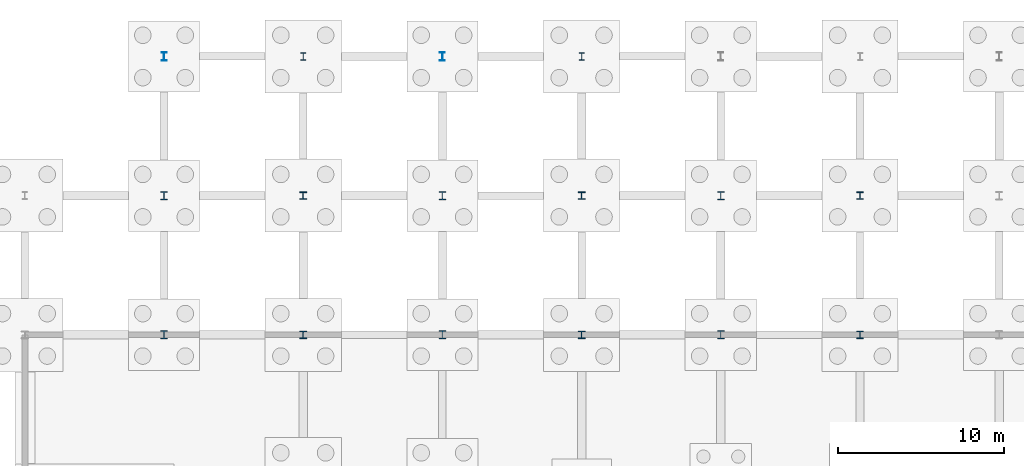
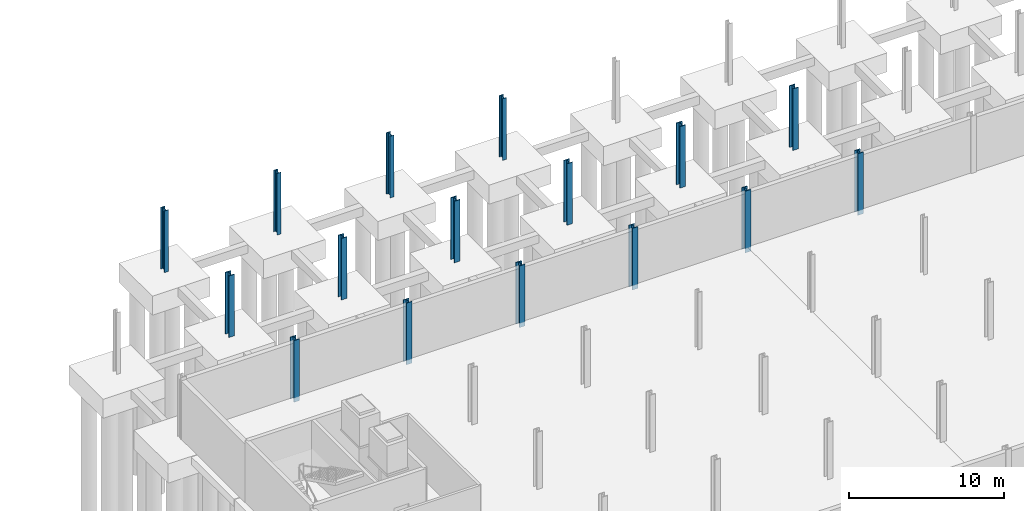
# One storey, part 24 of 51: 16 columns.
"""IFC4 building model written with IfcOpenShell, lengths in metres."""

import ifcopenshell
import ifcopenshell.guid

model = None  # the IFC model being written
_history = None  # IfcOwnerHistory: only IFC2X3 demands one
_inside = {}  # id of a spatial element -> (the spatial element, [elements in it])
_under = {}  # id of a project, library or spatial element -> (it, [spatial elements below it])
_declared = {}  # id of a project -> (the project, [libraries it declares])
_typed = {}  # id of a type object -> (the type object, [elements of that type])
_made_of = {}  # id of a material, layer set ... -> (it, [elements and type objects made of it])


def new_model(schema):
    """Start an empty IFC model of exactly this schema.

    Asked for "IFC4X3", IfcOpenShell would pick the latest addendum, in which some entities
    have other attributes; the version numbers below select the first issue.
    IFC2X3 requires an IfcOwnerHistory on every rooted entity: one is made here for all.
    """
    global model, _history
    if schema == "IFC4X3":
        model = ifcopenshell.file(schema_version=(4, 3, 0, 0))
    else:
        model = ifcopenshell.file(schema=schema)
    _inside.clear()
    _under.clear()
    _declared.clear()
    _typed.clear()
    _made_of.clear()
    _history = None
    if model.schema == "IFC2X3":
        org = make("IfcOrganization", Name="unknown")
        user = make(
            "IfcPersonAndOrganization",
            ThePerson=make("IfcPerson", FamilyName="unknown"),
            TheOrganization=org,
        )
        app = make(
            "IfcApplication",
            ApplicationDeveloper=org,
            Version="unknown",
            ApplicationFullName="unknown",
            ApplicationIdentifier="unknown",
        )
        _history = make(
            "IfcOwnerHistory",
            OwningUser=user,
            OwningApplication=app,
            ChangeAction="ADDED",
            CreationDate=0,
        )
    return model


def make(cls, **values):
    """One entity of the class cls with the attributes given. An attribute that is None is left unset."""
    return model.create_entity(
        cls, **{name: value for name, value in values.items() if value is not None}
    )


def rooted(cls, **values):
    """An entity with a GlobalId (a new one), such as an element, a storey or a relation."""
    return make(cls, GlobalId=ifcopenshell.guid.new(), OwnerHistory=_history, **values)


def si_unit(unit_type, name, prefix=None):
    """IfcSIUnit, for example si_unit("LENGTHUNIT", "METRE", prefix="MILLI")."""
    return make("IfcSIUnit", UnitType=unit_type, Prefix=prefix, Name=name)


def assignment(units):
    """IfcUnitAssignment: the units of a project."""
    return None if units is None else make("IfcUnitAssignment", Units=units)


def point(xyz):
    """IfcCartesianPoint."""
    return None if xyz is None else make("IfcCartesianPoint", Coordinates=xyz)


def direction(xyz):
    """IfcDirection."""
    return None if xyz is None else make("IfcDirection", DirectionRatios=xyz)


def frame(location, z_axis=None, x_axis=None):
    """IfcAxis2Placement3D, a coordinate frame: its origin and axes. An axis left out is left unset."""
    return make(
        "IfcAxis2Placement3D",
        Location=point(location),
        Axis=direction(z_axis),
        RefDirection=direction(x_axis),
    )


def frame_2d(location, x_axis=None):
    """IfcAxis2Placement2D, a coordinate frame in the plane: its origin and x axis."""
    return make(
        "IfcAxis2Placement2D", Location=point(location), RefDirection=direction(x_axis)
    )


def origin():
    """The frame at (0, 0, 0) with its axes left unset."""
    return frame((0.0, 0.0, 0.0))


def origin_2d():
    """The frame at (0, 0) in the plane with its x axis left unset."""
    return frame_2d((0.0, 0.0))


def place(relative_to, where):
    """IfcLocalPlacement: puts the frame where relative to a parent placement (None: the world)."""
    return make(
        "IfcLocalPlacement", PlacementRelTo=relative_to, RelativePlacement=where
    )


def context(
    kind, dimensions, precision=None, world=None, true_north=None, identifier=None
):
    """IfcGeometricRepresentationContext, for example the 3D "Model" context."""
    return make(
        "IfcGeometricRepresentationContext",
        ContextIdentifier=identifier,
        ContextType=kind,
        CoordinateSpaceDimension=dimensions,
        Precision=precision,
        WorldCoordinateSystem=world,
        TrueNorth=true_north,
    )


def subcontext(parent, identifier, kind, view, scale=None):
    """IfcGeometricRepresentationSubContext, for example "Body" below "Model"."""
    return make(
        "IfcGeometricRepresentationSubContext",
        ContextIdentifier=identifier,
        ContextType=kind,
        ParentContext=parent,
        TargetScale=scale,
        TargetView=view,
    )


def project(units=None, contexts=None):
    """IfcProject with its units and contexts."""
    return rooted(
        "IfcProject",
        Name="project",
        RepresentationContexts=contexts,
        UnitsInContext=assignment(units),
    )


def spatial(cls, under=None, at=None, **own):
    """A site, building, storey or space (cls), placed at a placement, below another one or the project."""
    s = rooted(cls, ObjectPlacement=at, **own)
    if under is not None:
        _under.setdefault(under.id(), (under, []))[1].append(s)
    return s


def profile(cls, at=None, kind="AREA", **sizes):
    """A parametric profile (cls). Its sizes go by their IFC names, for example OverallWidth=200.0."""
    return make(cls, ProfileType=kind, Position=at, **sizes)


def i_section(**sizes):
    """IfcIShapeProfileDef."""
    return profile("IfcIShapeProfileDef", **sizes)


def extrude(swept, where, along, depth):
    """IfcExtrudedAreaSolid: the profile swept, set in the frame where, extruded along a direction by depth."""
    return make(
        "IfcExtrudedAreaSolid",
        SweptArea=swept,
        Position=where,
        ExtrudedDirection=direction(along),
        Depth=depth,
    )


def shape(context_of_items, identifier, shape_type, items):
    """IfcShapeRepresentation: the items that make up one representation, for example the "Body"."""
    return make(
        "IfcShapeRepresentation",
        ContextOfItems=context_of_items,
        RepresentationIdentifier=identifier,
        RepresentationType=shape_type,
        Items=items,
    )


def material(Name=None, Category=None):
    """IfcMaterial."""
    return make("IfcMaterial", Name=Name, Category=Category)


def material_profile(
    of_material, cross_section, Name=None, Category=None, Priority=None
):
    """IfcMaterialProfile: a cross section and its material."""
    return make(
        "IfcMaterialProfile",
        Name=Name,
        Material=of_material,
        Profile=cross_section,
        Priority=Priority,
        Category=Category,
    )


def profile_set(profiles, Name=None, composite=None):
    """IfcMaterialProfileSet."""
    return make(
        "IfcMaterialProfileSet",
        Name=Name,
        MaterialProfiles=profiles,
        CompositeProfile=composite,
    )


def made_of(thing, what):
    """Note that an element or type object is made of a material, layer set ...; save() writes the relation."""
    if what is not None:
        _made_of.setdefault(what.id(), (what, []))[1].append(thing)
    return thing


def type_object(cls, material=None, **own):
    """A type object (cls), such as IfcWallType, which elements share."""
    return made_of(rooted(cls, **own), material)


def element(
    cls,
    number,
    at=None,
    inside=None,
    cuts=None,
    type_object=None,
    material=None,
    context=None,
    identifier="Body",
    shape_type=None,
    held_by="IfcProductDefinitionShape",
    body=None,
    shapes=None,
    **own,
):
    """One element of the class cls, such as IfcWall. Its Tag is "e" and its number.

    at: its placement. inside: the storey or other place that contains it. cuts: it is an
    opening in that element (IfcRelVoidsElement). A single representation is given by context,
    identifier, shape_type and body (its items); several are given by shapes. held_by: the class
    of the entity that holds the representations. save() writes the other relations.
    """
    e = rooted(cls, Tag="e%d" % number, ObjectPlacement=at, **own)
    if body is not None:
        shapes = [shape(context, identifier, shape_type, body)]
    if shapes is not None:
        e.Representation = make(held_by, Representations=shapes)
    if inside is not None:
        _inside.setdefault(inside.id(), (inside, []))[1].append(e)
    if cuts is not None:
        rooted(
            "IfcRelVoidsElement", RelatingBuildingElement=cuts, RelatedOpeningElement=e
        )
    if type_object is not None:
        _typed.setdefault(type_object.id(), (type_object, []))[1].append(e)
    return made_of(e, material)


def aggregate(whole, parts):
    """IfcRelAggregates: a whole, such as a stair, and the parts it consists of."""
    return rooted("IfcRelAggregates", RelatingObject=whole, RelatedObjects=parts)


def save(model, path):
    """Write the relations noted so far, then the file.

    IfcRelAggregates (storeys below a building ...), IfcRelContainedInSpatialStructure (elements
    in a storey), IfcRelDefinesByType, IfcRelAssociatesMaterial and IfcRelDeclares: one each for
    every whole, place, type object, material and project.
    """
    for whole, parts in _under.values():
        aggregate(whole, parts)
    for where, things in _inside.values():
        rooted(
            "IfcRelContainedInSpatialStructure",
            RelatedElements=things,
            RelatingStructure=where,
        )
    for kind, things in _typed.values():
        rooted("IfcRelDefinesByType", RelatedObjects=things, RelatingType=kind)
    for what, things in _made_of.values():
        rooted("IfcRelAssociatesMaterial", RelatedObjects=things, RelatingMaterial=what)
    for by, libraries in _declared.values():
        rooted("IfcRelDeclares", RelatingContext=by, RelatedDefinitions=libraries)
    model.write(path)


model = new_model("IFC4")

# Units and contexts
model_context = context("Model", 3, precision=1e-05, world=origin(), true_north=direction((0.0, 1.0)))
body_context = subcontext(model_context, "Body", "Model", "MODEL_VIEW")
ifc_project = project(units=[si_unit("LENGTHUNIT", "METRE"), si_unit("AREAUNIT", "SQUARE_METRE"), si_unit("VOLUMEUNIT", "CUBIC_METRE"), si_unit("PLANEANGLEUNIT", "RADIAN"), si_unit("MASSUNIT", "GRAM", prefix="KILO")], contexts=[model_context])

# Site, building, storey
site_placement = place(None, origin())
site = spatial("IfcSite", under=ifc_project, at=site_placement, CompositionType="ELEMENT")
building_placement = place(site_placement, origin())
building = spatial("IfcBuilding", under=site, at=building_placement, Name="Qalvenar Corner Mobility Hub", CompositionType="ELEMENT")
storey_placement = place(building_placement, frame((0.0, 0.0, -4.5)))
storey = spatial("IfcBuildingStorey", under=building, at=storey_placement, Name="B1", CompositionType="ELEMENT", Elevation=-4.5)

# Columns
ifc_material = material(Name="Steel S355", Category="steel")
ifc_material_profile_1 = material_profile(ifc_material, i_section(OverallWidth=0.412109375, OverallDepth=0.455078125, WebThickness=0.030517578125, FlangeThickness=0.049072265625, FilletRadius=0.014892578125, at=origin_2d()), Name="HD400x421")
ifc_profile_set_1 = profile_set([ifc_material_profile_1], Name="Steel S355")
column_type_1 = type_object("IfcColumnType", Name="COL-HD400X382", PredefinedType="COLUMN", material=ifc_profile_set_1)
for number, where, z_axis, x_axis, name in (
    (1, (75.60009765625, 100.800048828125, -0.35009765625), (0.0, 0.0, 1.0), (1.0, 0.0, 0.0), "Steel Column B1-G10-12"),
    (2, (75.60009765625, 109.199951171875, -0.35009765625), (0.0, 0.0, 1.0), (1.0, 0.0, 0.0), "Steel Column B1-G10-13"),
    (3, (92.39990234375, 100.800048828125, -0.35009765625), (0.0, 0.0, 1.0), (1.0, 0.0, 0.0), "Steel Column B1-G12-12"),
    (4, (92.39990234375, 109.199951171875, -0.35009765625), (0.0, 0.0, 1.0), (1.0, 0.0, 0.0), "Steel Column B1-G12-13"),
    (5, (109.199951171875, 100.800048828125, -0.35009765625), (0.0, 0.0, 1.0), (1.0, 0.0, 0.0), "Steel Column B1-G14-12"),
    (6, (109.199951171875, 109.199951171875, -0.35009765625), (0.0, 0.0, 1.0), (1.0, 0.0, 0.0), "Steel Column B1-G14-13"),
):
    element("IfcColumn", number, at=place(storey_placement, frame(where, z_axis=z_axis, x_axis=x_axis)), inside=storey, type_object=column_type_1, Name=name, PredefinedType="COLUMN", context=body_context, shape_type="SweptSolid", body=[
        extrude(i_section(OverallWidth=0.412109375, OverallDepth=0.455078125, WebThickness=0.030517578125, FlangeThickness=0.049072265625, FilletRadius=0.014892578125, at=origin_2d()), origin(), (0.0, 0.0, 1.0), 4.85009765625),
    ])
ifc_material_profile_2 = material_profile(ifc_material, i_section(OverallWidth=0.419921875, OverallDepth=0.5048828125, WebThickness=0.03662109375, FlangeThickness=0.05908203125, FilletRadius=0.014892578125, at=origin_2d()), Name="HD400x551")
ifc_profile_set_2 = profile_set([ifc_material_profile_2], Name="Steel S355")
column_type_2 = type_object("IfcColumnType", Name="COL-HD400X463", PredefinedType="COLUMN", material=ifc_profile_set_2)
for number, where, z_axis, x_axis, name in (
    (7, (67.199951171875, 100.800048828125, -0.35009765625), (0.0, 0.0, 1.0), (1.0, 0.0, 0.0), "Steel Column B1-G9-12"),
    (8, (67.199951171875, 109.199951171875, -0.35009765625), (0.0, 0.0, 1.0), (1.0, 0.0, 0.0), "Steel Column B1-G9-13"),
    (9, (84.0, 100.800048828125, -0.35009765625), (0.0, 0.0, 1.0), (1.0, 0.0, 0.0), "Steel Column B1-G11-12"),
    (10, (84.0, 109.199951171875, -0.35009765625), (0.0, 0.0, 1.0), (1.0, 0.0, 0.0), "Steel Column B1-G11-13"),
    (11, (100.800048828125, 100.800048828125, -0.35009765625), (0.0, 0.0, 1.0), (1.0, 0.0, 0.0), "Steel Column B1-G13-12"),
    (12, (100.800048828125, 109.199951171875, -0.35009765625), (0.0, 0.0, 1.0), (1.0, 0.0, 0.0), "Steel Column B1-G13-13"),
):
    element("IfcColumn", number, at=place(storey_placement, frame(where, z_axis=z_axis, x_axis=x_axis)), inside=storey, type_object=column_type_2, Name=name, PredefinedType="COLUMN", context=body_context, shape_type="SweptSolid", body=[
        extrude(i_section(OverallWidth=0.419921875, OverallDepth=0.5048828125, WebThickness=0.03662109375, FlangeThickness=0.05908203125, FilletRadius=0.014892578125, at=origin_2d()), origin(), (0.0, 0.0, 1.0), 4.85009765625),
    ])
ifc_material_profile_3 = material_profile(ifc_material, i_section(OverallWidth=0.300048828125, OverallDepth=0.449951171875, WebThickness=0.013916015625, FlangeThickness=0.02587890625, FilletRadius=0.027099609375, at=origin_2d()), Name="HEB450")
ifc_profile_set_3 = profile_set([ifc_material_profile_3], Name="Steel S355")
column_type_3 = type_object("IfcColumnType", Name="COL-HEB450", PredefinedType="COLUMN", material=ifc_profile_set_3)
for number, where, z_axis, x_axis, name in (
    (13, (75.60009765625, 117.60009765625, -0.35009765625), (0.0, 0.0, 1.0), (1.0, 0.0, 0.0), "Steel Column B1-G10-14"),
    (14, (92.39990234375, 117.60009765625, -0.35009765625), (0.0, 0.0, 1.0), (1.0, 0.0, 0.0), "Steel Column B1-G12-14"),
):
    element("IfcColumn", number, at=place(storey_placement, frame(where, z_axis=z_axis, x_axis=x_axis)), inside=storey, type_object=column_type_3, Name=name, PredefinedType="COLUMN", context=body_context, shape_type="SweptSolid", body=[
        extrude(i_section(OverallWidth=0.300048828125, OverallDepth=0.449951171875, WebThickness=0.013916015625, FlangeThickness=0.02587890625, FilletRadius=0.027099609375, at=origin_2d()), origin(), (0.0, 0.0, 1.0), 4.85009765625),
    ])
ifc_material_profile_4 = material_profile(ifc_material, i_section(OverallWidth=0.300048828125, OverallDepth=0.5, WebThickness=0.014404296875, FlangeThickness=0.028076171875, FilletRadius=0.027099609375, at=origin_2d()), Name="HEB500")
ifc_profile_set_4 = profile_set([ifc_material_profile_4], Name="Steel S355")
column_type_4 = type_object("IfcColumnType", Name="COL-HEB500", PredefinedType="COLUMN", material=ifc_profile_set_4)
for number, where, z_axis, x_axis, name in (
    (15, (67.199951171875, 117.60009765625, -0.35009765625), (0.0, 0.0, 1.0), (1.0, 0.0, 0.0), "Steel Column B1-G9-14"),
    (16, (84.0, 117.60009765625, -0.35009765625), (0.0, 0.0, 1.0), (1.0, 0.0, 0.0), "Steel Column B1-G11-14"),
):
    element("IfcColumn", number, at=place(storey_placement, frame(where, z_axis=z_axis, x_axis=x_axis)), inside=storey, type_object=column_type_4, Name=name, PredefinedType="COLUMN", context=body_context, shape_type="SweptSolid", body=[
        extrude(i_section(OverallWidth=0.300048828125, OverallDepth=0.5, WebThickness=0.014404296875, FlangeThickness=0.028076171875, FilletRadius=0.027099609375, at=origin_2d()), origin(), (0.0, 0.0, 1.0), 4.85009765625),
    ])

save(model, "model.ifc")
